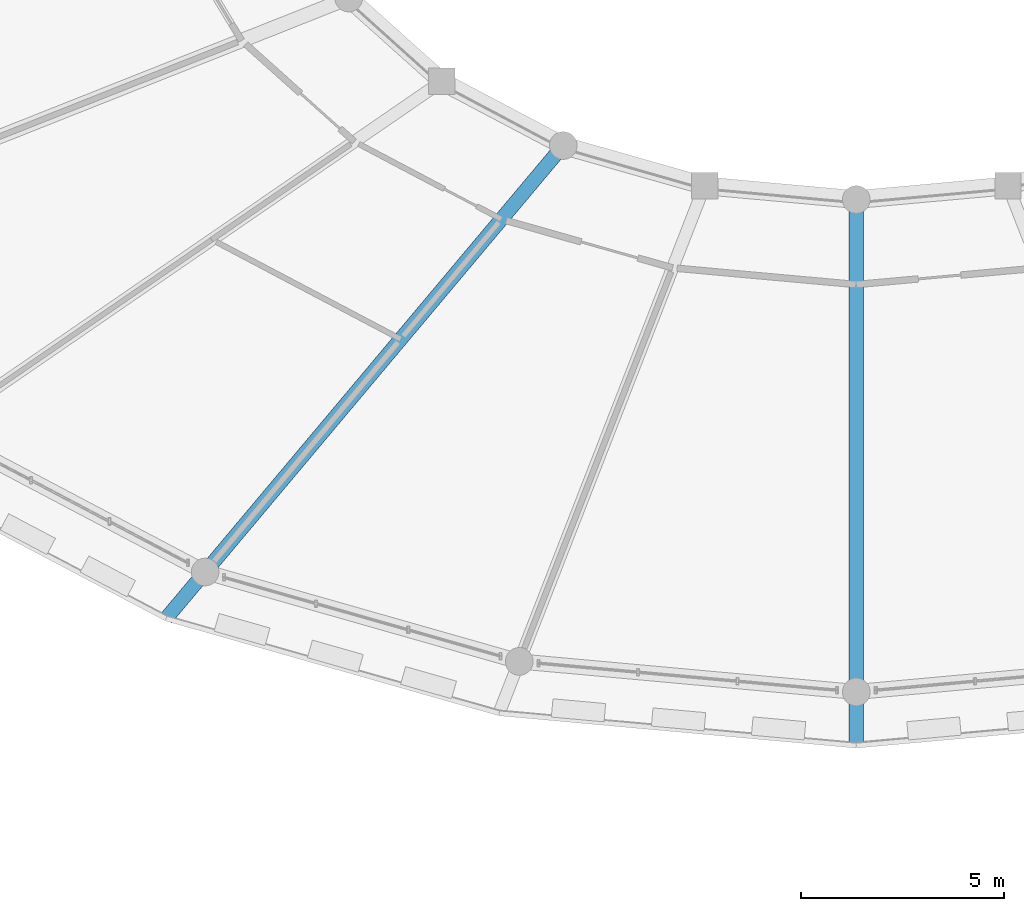
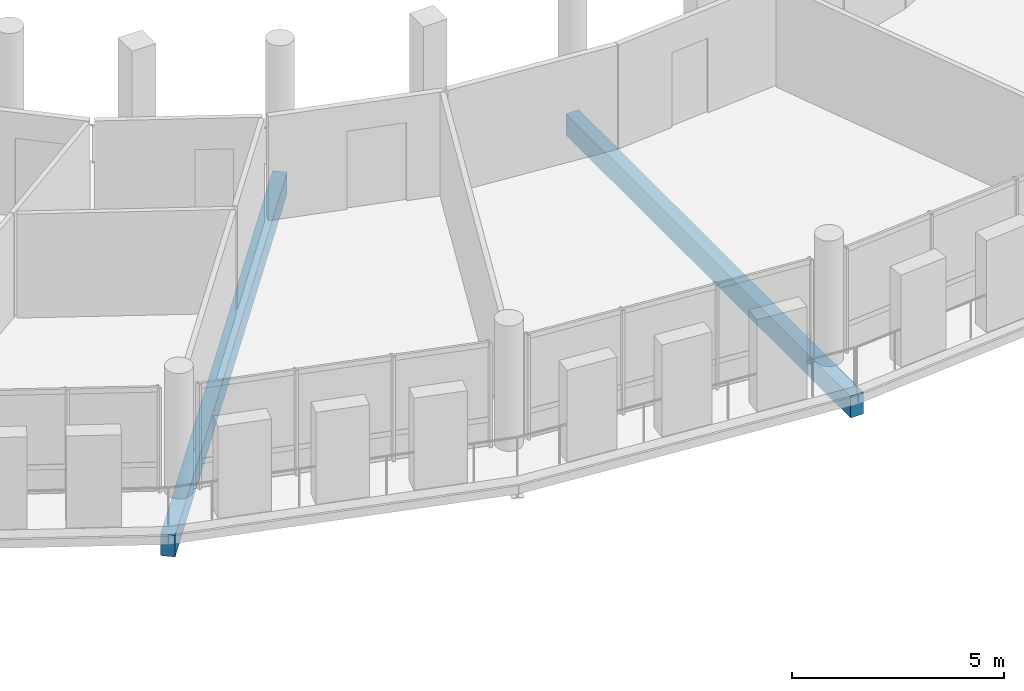
# One storey, part 44 of 128: 2 beams.
"""IFC4 building model written with IfcOpenShell, lengths in metres."""

from ifc_helpers import new_model, si_unit, direction, frame, origin, origin_2d, place, context, subcontext, project, spatial, rectangle, extrude, material, material_profile, profile_set, type_object, element, save


model = new_model("IFC4")

# Units and contexts
model_context = context("Model", 3, precision=1e-05, world=origin(), true_north=direction((0.0, 1.0)))
body_context = subcontext(model_context, "Body", "Model", "MODEL_VIEW")
ifc_project = project(units=[si_unit("LENGTHUNIT", "METRE"), si_unit("AREAUNIT", "SQUARE_METRE"), si_unit("VOLUMEUNIT", "CUBIC_METRE"), si_unit("PLANEANGLEUNIT", "RADIAN"), si_unit("MASSUNIT", "GRAM", prefix="KILO")], contexts=[model_context])

# Site, building, storey
site_placement = place(None, origin())
site = spatial("IfcSite", under=ifc_project, at=site_placement, CompositionType="ELEMENT")
building_placement = place(site_placement, origin())
building = spatial("IfcBuilding", under=site, at=building_placement, Name="Zornivar Specialist Clinic", CompositionType="ELEMENT")
storey_placement = place(building_placement, frame((0.0, 0.0, 4.5)))
storey = spatial("IfcBuildingStorey", under=building, at=storey_placement, Name="L01", CompositionType="ELEMENT", Elevation=4.5)

# Beams
ifc_material = material(Name="Concrete C30/37", Category="concrete")
ifc_material_profile = material_profile(ifc_material, rectangle(XDim=0.35009765625, YDim=0.6201171875, at=origin_2d()), Name="RC 350x620")
ifc_profile_set = profile_set([ifc_material_profile], Name="Concrete C30/37")
beam_type = type_object("IfcBeamType", Name="BM-RC-CANT-350x620", PredefinedType="BEAM", material=ifc_profile_set)
beam_1_placement = place(storey_placement, frame((86.39990234375, 49.02587890625, -0.550048828125), z_axis=(-0.643102291661, -0.765780283411, 0.0), x_axis=(0.765780283411, -0.643102291661, 0.0)))
element("IfcBeam", 1, at=beam_1_placement, inside=storey, type_object=beam_type, Name="bm:V1:L01:radcant:16", PredefinedType="BEAM", context=body_context, shape_type="SweptSolid", body=[
    extrude(rectangle(XDim=0.35009765625, YDim=0.6201171875, at=origin_2d()), origin(), (0.0, 0.0, 1.0), 15.176513671875),
])
beam_2_placement = place(storey_placement, frame((93.60009765625, 47.699951171875, -0.550048828125), z_axis=(0.0, -1.0, 0.0), x_axis=(1.0, 0.0, 0.0)))
element("IfcBeam", 2, at=beam_2_placement, inside=storey, type_object=beam_type, Name="bm:V1:L01:radcant:18", PredefinedType="BEAM", context=body_context, shape_type="SweptSolid", body=[
    extrude(rectangle(XDim=0.35009765625, YDim=0.6201171875, at=origin_2d()), origin(), (0.0, 0.0, 1.0), 13.419921875),
])

save(model, "model.ifc")
